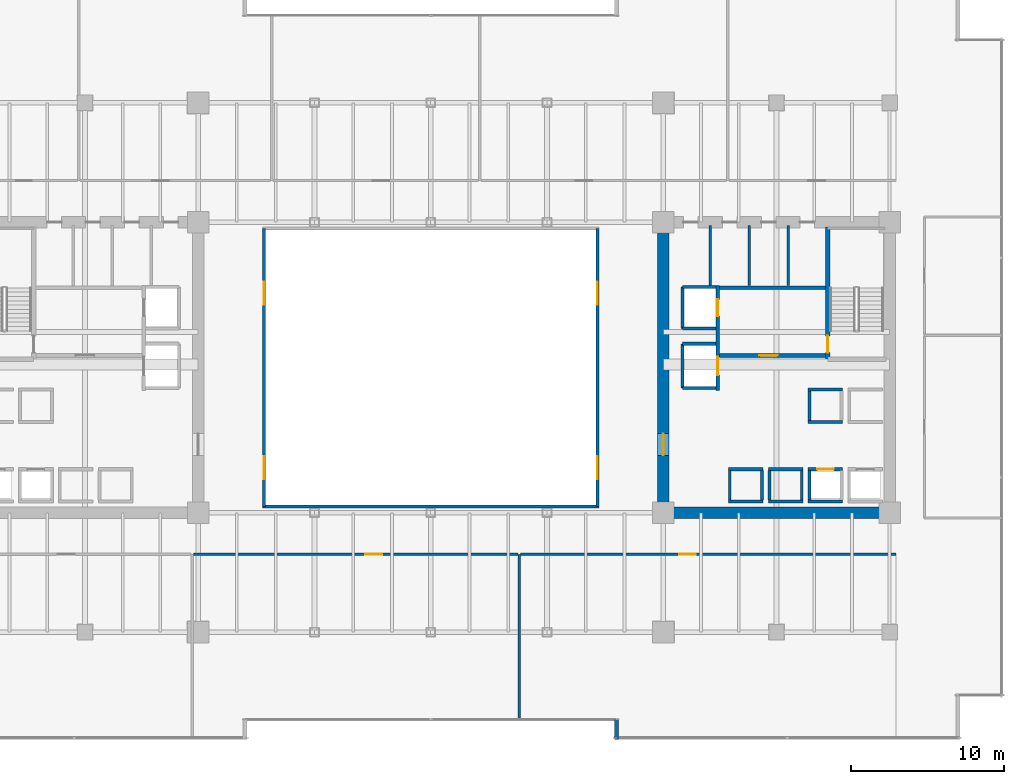
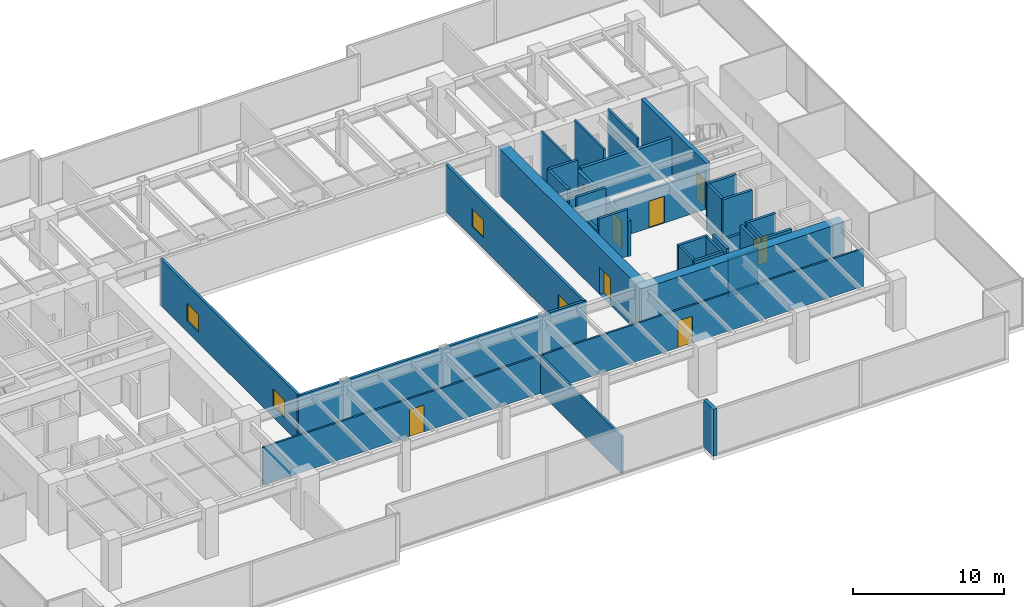
# One storey, part 30 of 36: 36 walls, 8 doors, 4 windows, 12 openings.
"""IFC4 building model written with IfcOpenShell, lengths in metres."""

from ifc_helpers import new_model, si_unit, direction, frame, frame_2d, origin, place, context, subcontext, project, spatial, rectangle, extrude, source, transform, mapped, material, layer, layer_set, type_object, type_shapes, element, fill, save


model = new_model("IFC4")

# Units and contexts
model_context = context("Model", 3, precision=1e-05, world=origin(), true_north=direction((0.0, 1.0)))
body_context = subcontext(model_context, "Body", "Model", "MODEL_VIEW")
ifc_project = project(units=[si_unit("LENGTHUNIT", "METRE"), si_unit("AREAUNIT", "SQUARE_METRE"), si_unit("VOLUMEUNIT", "CUBIC_METRE"), si_unit("PLANEANGLEUNIT", "RADIAN"), si_unit("MASSUNIT", "GRAM", prefix="KILO")], contexts=[model_context])

# Site, building, storey
site_placement = place(None, origin())
site = spatial("IfcSite", under=ifc_project, at=site_placement, CompositionType="ELEMENT")
building_placement = place(site_placement, origin())
building = spatial("IfcBuilding", under=site, at=building_placement, Name="Haelvirn Gate Laboratories", CompositionType="ELEMENT")
storey_placement = place(building_placement, frame((0.0, 0.0, 49.800048828125)))
storey = spatial("IfcBuildingStorey", under=building, at=storey_placement, Name="L12", CompositionType="ELEMENT", Elevation=49.800048828125)

# Walls
ifc_material_1 = material(Name="Thermally-broken bronze aluminium rainscreen & mineral wool", Category="aluminium")
ifc_layer_1 = layer(ifc_material_1, 0.280029296875, Name="EW-TERR-280")
ifc_layer_set_1 = layer_set([ifc_layer_1], Name="Thermally-broken bronze aluminium rainscreen & mineral wool")
wall_type_1 = type_object("IfcWallType", Name="EW-TERR-280", PredefinedType="STANDARD", material=ifc_layer_set_1)
wall_1_placement = place(storey_placement, frame((49.5400390625, 1.2880859375, 0.0), z_axis=(0.0, 0.0, 1.0), x_axis=(0.0, -1.0, 0.0)))
element("IfcWall", 1, at=wall_1_placement, inside=storey, type_object=wall_type_1, Name="L12 Atrium Recess Bronze Return Wall 03", PredefinedType="STANDARD", context=body_context, shape_type="SweptSolid", body=[
    extrude(rectangle(XDim=1.2880859375, YDim=0.280029296875, at=frame_2d((0.64404296875, 0.0))), origin(), (0.0, 0.0, 1.0), 3.780029296875),
])
ifc_material_2 = material(Name="Double-layer acoustic gypsum laboratory partition", Category="gypsum")
ifc_layer_2 = layer(ifc_material_2, 0.159912109375, Name="IW-ACOUST-160")
ifc_layer_set_2 = layer_set([ifc_layer_2], Name="Double-layer acoustic gypsum laboratory partition")
wall_type_2 = type_object("IfcWallType", Name="IW-ACOUST-160", PredefinedType="PARTITIONING", material=ifc_layer_set_2)
wall_2_placement = place(storey_placement, frame((43.199951171875, 1.31005859375, 0.0), z_axis=(0.0, 0.0, 1.0), x_axis=(0.0, 1.0, 0.0)))
element("IfcWall", 2, at=wall_2_placement, inside=storey, type_object=wall_type_2, Name="L12 Interior Wall IW-L12-SDIV-02", PredefinedType="PARTITIONING", context=body_context, shape_type="SweptSolid", body=[
    extrude(rectangle(XDim=10.780029296875, YDim=0.159912109375, at=frame_2d((5.39013671875, 0.0))), origin(), (0.0, 0.0, 1.0), 3.014892578125),
])

# Wall, openings, windows
ifc_material_3 = material(Name="Tempered fire-rated borosilicate glass & anodised aluminium", Category="aluminium")
ifc_layer_3 = layer(ifc_material_3, 0.195068359375, Name="IW-GLAZ-200")
ifc_layer_set_3 = layer_set([ifc_layer_3], Name="Tempered fire-rated borosilicate glass & anodised aluminium")
wall_type_3 = type_object("IfcWallType", Name="IW-GLAZ-200", PredefinedType="SOLIDWALL", material=ifc_layer_set_3)
wall_3_placement = place(storey_placement, frame((26.5, 15.199951171875, 0.0), z_axis=(0.0, 0.0, 1.0), x_axis=(0.0, 1.0, 0.0)))
wall_3 = element("IfcWall", 3, at=wall_3_placement, inside=storey, type_object=wall_type_3, Name="L12 Interior Wall IW-L12-ATRIUM-W", PredefinedType="SOLIDWALL", context=body_context, shape_type="SweptSolid", body=[
    extrude(rectangle(XDim=18.199951171875, YDim=0.195068359375, at=frame_2d((9.10009765625, 0.0))), origin(), (0.0, 0.0, 1.0), 3.780029296875),
])
opening_1_placement = place(wall_3_placement, frame((1.800048828125, 0.0, 0.89990234375)))
opening_1 = element("IfcOpeningElement", 4, at=opening_1_placement, cuts=wall_3, Name="Opening W5", PredefinedType="OPENING", context=body_context, shape_type="SweptSolid", body=[
    extrude(rectangle(XDim=1.5, YDim=1.39990234375, at=frame_2d((0.75, 0.699951171875))), frame((0.0, 0.107421875, 0.0), z_axis=(0.0, -1.0, 0.0), x_axis=(1.0, 0.0, 0.0)), (0.0, 0.0, 1.0), 0.215087890625),
])
opening_2_placement = place(wall_3_placement, frame((13.199951171875, 0.0, 0.89990234375)))
opening_2 = element("IfcOpeningElement", 5, at=opening_2_placement, cuts=wall_3, Name="Opening W5", PredefinedType="OPENING", context=body_context, shape_type="SweptSolid", body=[
    extrude(rectangle(XDim=1.5, YDim=1.39990234375, at=frame_2d((0.75, 0.699951171875))), frame((0.0, 0.107421875, 0.0), z_axis=(0.0, -1.0, 0.0), x_axis=(1.0, 0.0, 0.0)), (0.0, 0.0, 1.0), 0.215087890625),
])
ifc_material_4 = material(Name="Fire-rated EI 120 borosilicate atrium vision glazing", Category="glass")
window_type = type_object("IfcWindowType", Name="WN-ATR-1500", PartitioningType="SINGLE_PANEL", PredefinedType="WINDOW", material=ifc_material_4)
shared_shape_1 = source(origin(), body_context, "Body", "SweptSolid", [
    extrude(rectangle(XDim=1.5, YDim=1.39990234375, at=frame_2d((0.75, 0.699951171875))), frame((0.0, 0.030029296875, 0.0), z_axis=(0.0, -1.0, 0.0), x_axis=(1.0, 0.0, 0.0)), (0.0, 0.0, 1.0), 0.06005859375),
])
type_shapes(window_type, [shared_shape_1])
window_1_placement = place(opening_1_placement, origin())
window_1 = element("IfcWindow", 6, at=window_1_placement, inside=storey, type_object=window_type, Name="L12 Atrium Observation Window 1", OverallHeight=1.39990234375, OverallWidth=1.5, PartitioningType="SINGLE_PANEL", PredefinedType="WINDOW", context=body_context, shape_type="MappedRepresentation", body=[
    mapped(shared_shape_1, transform((0.0, 0.0, 0.0), scale=1.0)),
])
fill(opening_1, window_1)
window_2_placement = place(opening_2_placement, origin())
window_2 = element("IfcWindow", 7, at=window_2_placement, inside=storey, type_object=window_type, Name="L12 Atrium Observation Window 2", OverallHeight=1.39990234375, OverallWidth=1.5, PartitioningType="SINGLE_PANEL", PredefinedType="WINDOW", context=body_context, shape_type="MappedRepresentation", body=[
    mapped(shared_shape_1, transform((0.0, 0.0, 0.0), scale=1.0)),
])
fill(opening_2, window_2)

wall_4_placement = place(storey_placement, frame((48.300048828125, 15.199951171875, 0.0), z_axis=(0.0, 0.0, 1.0), x_axis=(0.0, 1.0, 0.0)))
wall_4 = element("IfcWall", 8, at=wall_4_placement, inside=storey, type_object=wall_type_3, Name="L12 Interior Wall IW-L12-ATRIUM-E", PredefinedType="SOLIDWALL", context=body_context, shape_type="SweptSolid", body=[
    extrude(rectangle(XDim=18.199951171875, YDim=0.195068359375, at=frame_2d((9.10009765625, 0.0))), origin(), (0.0, 0.0, 1.0), 3.780029296875),
])
opening_3_placement = place(wall_4_placement, frame((1.800048828125, 0.0, 0.89990234375)))
opening_3 = element("IfcOpeningElement", 9, at=opening_3_placement, cuts=wall_4, Name="Opening W5", PredefinedType="OPENING", context=body_context, shape_type="SweptSolid", body=[
    extrude(rectangle(XDim=1.5, YDim=1.39990234375, at=frame_2d((0.75, 0.699951171875))), frame((0.0, 0.107421875, 0.0), z_axis=(0.0, -1.0, 0.0), x_axis=(1.0, 0.0, 0.0)), (0.0, 0.0, 1.0), 0.215087890625),
])
opening_4_placement = place(wall_4_placement, frame((13.199951171875, 0.0, 0.89990234375)))
opening_4 = element("IfcOpeningElement", 10, at=opening_4_placement, cuts=wall_4, Name="Opening W5", PredefinedType="OPENING", context=body_context, shape_type="SweptSolid", body=[
    extrude(rectangle(XDim=1.5, YDim=1.39990234375, at=frame_2d((0.75, 0.699951171875))), frame((0.0, 0.107421875, 0.0), z_axis=(0.0, -1.0, 0.0), x_axis=(1.0, 0.0, 0.0)), (0.0, 0.0, 1.0), 0.215087890625),
])
window_3_placement = place(opening_3_placement, origin())
window_3 = element("IfcWindow", 11, at=window_3_placement, inside=storey, type_object=window_type, Name="L12 Atrium Observation Window 1", OverallHeight=1.39990234375, OverallWidth=1.5, PartitioningType="SINGLE_PANEL", PredefinedType="WINDOW", context=body_context, shape_type="MappedRepresentation", body=[
    mapped(shared_shape_1, transform((0.0, 0.0, 0.0), scale=1.0)),
])
fill(opening_3, window_3)
window_4_placement = place(opening_4_placement, origin())
window_4 = element("IfcWindow", 12, at=window_4_placement, inside=storey, type_object=window_type, Name="L12 Atrium Observation Window 2", OverallHeight=1.39990234375, OverallWidth=1.5, PartitioningType="SINGLE_PANEL", PredefinedType="WINDOW", context=body_context, shape_type="MappedRepresentation", body=[
    mapped(shared_shape_1, transform((0.0, 0.0, 0.0), scale=1.0)),
])
fill(opening_4, window_4)

# Wall
wall_5_placement = place(storey_placement, frame((26.39990234375, 15.199951171875, 0.0), z_axis=(0.0, 0.0, 1.0), x_axis=(1.0, 0.0, 0.0)))
element("IfcWall", 13, at=wall_5_placement, inside=storey, type_object=wall_type_3, Name="L12 Interior Wall IW-L12-ATRIUM-S", PredefinedType="SOLIDWALL", context=body_context, shape_type="SweptSolid", body=[
    extrude(rectangle(XDim=22.0, YDim=0.195068359375, at=frame_2d((11.0, 0.0))), origin(), (0.0, 0.0, 1.0), 3.780029296875),
])

# Wall, opening, door
ifc_material_5 = material(Name="Acoustic mineral-wool gypsum board partition", Category="gypsum")
ifc_layer_4 = layer(ifc_material_5, 0.139892578125, Name="IW-PART-140")
ifc_layer_set_4 = layer_set([ifc_layer_4], Name="Acoustic mineral-wool gypsum board partition")
wall_type_4 = type_object("IfcWallType", Name="IW-PART-140", PredefinedType="PARTITIONING", material=ifc_layer_set_4)
wall_6_placement = place(storey_placement, frame((21.8798828125, 12.090087890625, 0.0), z_axis=(0.0, 0.0, 1.0), x_axis=(1.0, 0.0, 0.0)))
wall_6 = element("IfcWall", 14, at=wall_6_placement, inside=storey, type_object=wall_type_4, Name="L12 Interior Wall IW-L12-SCORR-02", PredefinedType="PARTITIONING", context=body_context, shape_type="SweptSolid", body=[
    extrude(rectangle(XDim=21.240234375, YDim=0.139892578125, at=frame_2d((10.6201171875, 0.0))), origin(), (0.0, 0.0, 1.0), 3.06494140625),
])
opening_5_placement = place(wall_6_placement, frame((11.236328125, 0.0, 0.0)))
opening_5 = element("IfcOpeningElement", 15, at=opening_5_placement, cuts=wall_6, Name="Opening D1", PredefinedType="OPENING", context=body_context, shape_type="SweptSolid", body=[
    extrude(rectangle(XDim=1.10009765625, YDim=2.179931640625, at=frame_2d((0.550048828125, 1.08984375))), frame((0.0, 0.080078125, 0.0), z_axis=(0.0, -1.0, 0.0), x_axis=(1.0, 0.0, 0.0)), (0.0, 0.0, 1.0), 0.159912109375),
])
ifc_material_6 = material(Name="Vision-panel acoustic solid-core timber lab door", Category="wood")
door_type_1 = type_object("IfcDoorType", Name="DR-LAB-1100", OperationType="NOTDEFINED", PredefinedType="DOOR", material=ifc_material_6)
shared_shape_2 = source(origin(), body_context, "Body", "SweptSolid", [
    extrude(rectangle(XDim=1.10009765625, YDim=2.179931640625, at=frame_2d((0.550048828125, 1.08984375))), frame((0.0, 0.02490234375, 0.0), z_axis=(0.0, -1.0, 0.0), x_axis=(1.0, 0.0, 0.0)), (0.0, 0.0, 1.0), 0.050048828125),
])
type_shapes(door_type_1, [shared_shape_2])
door_1_placement = place(opening_5_placement, origin())
door_1 = element("IfcDoor", 16, at=door_1_placement, inside=storey, type_object=door_type_1, Name="L12 Colloquium Conference Room Door S2", OperationType="SINGLE_SWING_RIGHT", OverallHeight=2.179931640625, OverallWidth=1.10009765625, PredefinedType="DOOR", context=body_context, shape_type="MappedRepresentation", body=[
    mapped(shared_shape_2, transform((0.0, 0.0, 0.0), scale=1.0)),
])
fill(opening_5, door_1)

wall_7_placement = place(storey_placement, frame((43.280029296875, 12.090087890625, 0.0), z_axis=(0.0, 0.0, 1.0), x_axis=(1.0, 0.0, 0.0)))
wall_7 = element("IfcWall", 17, at=wall_7_placement, inside=storey, type_object=wall_type_4, Name="L12 Interior Wall IW-L12-SCORR-03", PredefinedType="PARTITIONING", context=body_context, shape_type="SweptSolid", body=[
    extrude(rectangle(XDim=24.5400390625, YDim=0.139892578125, at=frame_2d((12.27001953125, 0.0))), origin(), (0.0, 0.0, 1.0), 3.06494140625),
])
opening_6_placement = place(wall_7_placement, frame((10.355712890625, 0.0, 0.0)))
opening_6 = element("IfcOpeningElement", 18, at=opening_6_placement, cuts=wall_7, Name="Opening D1", PredefinedType="OPENING", context=body_context, shape_type="SweptSolid", body=[
    extrude(rectangle(XDim=1.10009765625, YDim=2.179931640625, at=frame_2d((0.550048828125, 1.08984375))), frame((0.0, 0.080078125, 0.0), z_axis=(0.0, -1.0, 0.0), x_axis=(1.0, 0.0, 0.0)), (0.0, 0.0, 1.0), 0.159912109375),
])
door_2_placement = place(opening_6_placement, origin())
door_2 = element("IfcDoor", 19, at=door_2_placement, inside=storey, type_object=door_type_1, Name="L12 Floor Hydration & Tea Servery Door S3", OperationType="SINGLE_SWING_LEFT", OverallHeight=2.179931640625, OverallWidth=1.10009765625, PredefinedType="DOOR", context=body_context, shape_type="MappedRepresentation", body=[
    mapped(shared_shape_2, transform((0.0, 0.0, 0.0), scale=1.0)),
])
fill(opening_6, door_2)

# Walls
ifc_material_7 = material(Name="Cement-board restroom plumbing chase wall", Category="gypsum")
ifc_layer_5 = layer(ifc_material_7, 0.155029296875, Name="IW-PLUMB-160")
ifc_layer_set_5 = layer_set([ifc_layer_5], Name="Cement-board restroom plumbing chase wall")
wall_type_5 = type_object("IfcWallType", Name="IW-PLUMB-160", PredefinedType="PLUMBINGWALL", material=ifc_layer_set_5)
for number, where, z_axis, x_axis, name in (
    (20, (60.760009765625, 29.64990234375, 0.0), (0.0, 0.0, 1.0), (0.0, 1.0, 0.0), "L12 Interior Wall IW-L12-E-CDIV-1"),
    (21, (58.2099609375, 29.64990234375, 0.0), (0.0, 0.0, 1.0), (0.0, 1.0, 0.0), "L12 Interior Wall IW-L12-E-CDIV-2"),
    (22, (55.659912109375, 29.64990234375, 0.0), (0.0, 0.0, 1.0), (0.0, 1.0, 0.0), "L12 Interior Wall IW-L12-E-CDIV-3"),
):
    element("IfcWall", number, at=place(storey_placement, frame(where, z_axis=z_axis, x_axis=x_axis)), inside=storey, type_object=wall_type_5, Name=name, PredefinedType="PLUMBINGWALL", context=body_context, shape_type="SweptSolid", body=[
        extrude(rectangle(XDim=3.93017578125, YDim=0.155029296875, at=frame_2d((1.965087890625, 0.0))), origin(), (0.0, 0.0, 1.0), 3.780029296875),
    ])
ifc_material_8 = material(Name="Concrete C40/50", Category="concrete")
ifc_layer_6 = layer(ifc_material_8, 0.179931640625, Name="IW-SHAFT-180")
ifc_layer_set_6 = layer_set([ifc_layer_6], Name="Concrete C40/50")
wall_type_6 = type_object("IfcWallType", Name="IW-SHAFT-180", PredefinedType="SOLIDWALL", material=ifc_layer_set_6)
for number, where, z_axis, x_axis, name in (
    (23, (62.14990234375, 15.64990234375, 0.0), (0.0, 0.0, 1.0), (0.0, 1.0, 0.0), "L12 Interior Wall IW-L12-PL4-SD"),
    (24, (59.550048828125, 15.64990234375, 0.0), (0.0, 0.0, 1.0), (0.0, 1.0, 0.0), "L12 Interior Wall IW-L12-PL7-SD"),
    (25, (61.64990234375, 15.64990234375, 0.0), (0.0, 0.0, 1.0), (0.0, 1.0, 0.0), "L12 Interior Wall IW-L12-PL7-SDE"),
    (26, (56.949951171875, 15.64990234375, 0.0), (0.0, 0.0, 1.0), (0.0, 1.0, 0.0), "L12 Interior Wall IW-L12-PL8-SD"),
    (27, (59.050048828125, 15.64990234375, 0.0), (0.0, 0.0, 1.0), (0.0, 1.0, 0.0), "L12 Interior Wall IW-L12-PL8-SDE"),
):
    element("IfcWall", number, at=place(storey_placement, frame(where, z_axis=z_axis, x_axis=x_axis)), inside=storey, type_object=wall_type_6, Name=name, PredefinedType="SOLIDWALL", context=body_context, shape_type="SweptSolid", body=[
        extrude(rectangle(XDim=1.900146484375, YDim=0.179931640625, at=frame_2d((0.9501953125, 0.0))), origin(), (0.0, 0.0, 1.0), 3.780029296875),
    ])
wall_8_placement = place(storey_placement, frame((62.14990234375, 20.85009765625, 0.0), z_axis=(0.0, 0.0, 1.0), x_axis=(0.0, 1.0, 0.0)))
element("IfcWall", 28, at=wall_8_placement, inside=storey, type_object=wall_type_6, Name="L12 Interior Wall IW-L12-PL12-SD", PredefinedType="SOLIDWALL", context=body_context, shape_type="SweptSolid", body=[
    extrude(rectangle(XDim=1.89990234375, YDim=0.179931640625, at=frame_2d((0.949951171875, 0.0))), origin(), (0.0, 0.0, 1.0), 3.780029296875),
])

# Wall, opening, door
ifc_layer_7 = layer(ifc_material_8, 0.199951171875, Name="IW-SHAFT-200")
ifc_layer_set_7 = layer_set([ifc_layer_7], Name="Concrete C40/50")
wall_type_7 = type_object("IfcWallType", Name="IW-SHAFT-200", PredefinedType="SOLIDWALL", material=ifc_layer_set_7)
wall_9_placement = place(storey_placement, frame((62.070068359375, 17.64990234375, 0.0), z_axis=(0.0, 0.0, 1.0), x_axis=(1.0, 0.0, 0.0)))
wall_9 = element("IfcWall", 29, at=wall_9_placement, inside=storey, type_object=wall_type_7, Name="L12 Interior Wall IW-L12-PL4-FR", PredefinedType="SOLIDWALL", context=body_context, shape_type="SweptSolid", body=[
    extrude(rectangle(XDim=2.260009765625, YDim=0.199951171875, at=frame_2d((1.1298828125, 0.0))), origin(), (0.0, 0.0, 1.0), 3.780029296875),
])
opening_7_placement = place(wall_9_placement, frame((0.580078125, 0.0, 0.0)))
opening_7 = element("IfcOpeningElement", 30, at=opening_7_placement, cuts=wall_9, Name="Opening LD2", PredefinedType="OPENING", context=body_context, shape_type="SweptSolid", body=[
    extrude(rectangle(XDim=1.10009765625, YDim=2.219970703125, at=frame_2d((0.550048828125, 1.10986328125))), frame((0.0, 0.10986328125, 0.0), z_axis=(0.0, -1.0, 0.0), x_axis=(1.0, 0.0, 0.0)), (0.0, 0.0, 1.0), 0.219970703125),
])
ifc_material_9 = material(Name="Bronze stainless 316L sliding lift landing door")
door_type_2 = type_object("IfcDoorType", Name="DR-LD-1100", OperationType="NOTDEFINED", PredefinedType="USERDEFINED", material=ifc_material_9)
shared_shape_3 = source(origin(), body_context, "Body", "SweptSolid", [
    extrude(rectangle(XDim=1.10009765625, YDim=2.219970703125, at=frame_2d((0.550048828125, 1.10986328125))), frame((0.0, 0.02490234375, 0.0), z_axis=(0.0, -1.0, 0.0), x_axis=(1.0, 0.0, 0.0)), (0.0, 0.0, 1.0), 0.050048828125),
])
type_shapes(door_type_2, [shared_shape_3])
door_3_placement = place(opening_7_placement, origin())
door_3 = element("IfcDoor", 31, at=door_3_placement, inside=storey, type_object=door_type_2, Name="L12 Passenger Lift PL4 Landing Door", ObjectType="LANDING_DOOR", OperationType="SLIDING_TO_RIGHT", OverallHeight=2.219970703125, OverallWidth=1.10009765625, PredefinedType="USERDEFINED", context=body_context, shape_type="MappedRepresentation", body=[
    mapped(shared_shape_3, transform((0.0, 0.0, 0.0), scale=1.0)),
])
fill(opening_7, door_3)

# Walls
wall_10_placement = place(storey_placement, frame((62.070068359375, 15.550048828125, 0.0), z_axis=(0.0, 0.0, 1.0), x_axis=(1.0, 0.0, 0.0)))
element("IfcWall", 32, at=wall_10_placement, inside=storey, type_object=wall_type_7, Name="L12 Interior Wall IW-L12-PL4-BK", PredefinedType="SOLIDWALL", context=body_context, shape_type="SweptSolid", body=[
    extrude(rectangle(XDim=2.260009765625, YDim=0.199951171875, at=frame_2d((1.1298828125, 0.0))), origin(), (0.0, 0.0, 1.0), 3.780029296875),
])
for number, where, z_axis, x_axis, name in (
    (33, (59.469970703125, 17.64990234375, 0.0), (0.0, 0.0, 1.0), (1.0, 0.0, 0.0), "L12 Interior Wall IW-L12-PL7-FR"),
    (34, (59.469970703125, 15.550048828125, 0.0), (0.0, 0.0, 1.0), (1.0, 0.0, 0.0), "L12 Interior Wall IW-L12-PL7-BK"),
):
    element("IfcWall", number, at=place(storey_placement, frame(where, z_axis=z_axis, x_axis=x_axis)), inside=storey, type_object=wall_type_7, Name=name, PredefinedType="SOLIDWALL", context=body_context, shape_type="SweptSolid", body=[
        extrude(rectangle(XDim=2.260009765625, YDim=0.199951171875, at=frame_2d((1.1298828125, 0.0))), origin(), (0.0, 0.0, 1.0), 3.06494140625),
    ])
for number, where, z_axis, x_axis, name in (
    (35, (56.8701171875, 17.64990234375, 0.0), (0.0, 0.0, 1.0), (1.0, 0.0, 0.0), "L12 Interior Wall IW-L12-PL8-FR"),
    (36, (56.8701171875, 15.550048828125, 0.0), (0.0, 0.0, 1.0), (1.0, 0.0, 0.0), "L12 Interior Wall IW-L12-PL8-BK"),
):
    element("IfcWall", number, at=place(storey_placement, frame(where, z_axis=z_axis, x_axis=x_axis)), inside=storey, type_object=wall_type_7, Name=name, PredefinedType="SOLIDWALL", context=body_context, shape_type="SweptSolid", body=[
        extrude(rectangle(XDim=2.259765625, YDim=0.199951171875, at=frame_2d((1.1298828125, 0.0))), origin(), (0.0, 0.0, 1.0), 3.780029296875),
    ])
for number, where, z_axis, x_axis, name in (
    (37, (62.070068359375, 20.75, 0.0), (0.0, 0.0, 1.0), (1.0, 0.0, 0.0), "L12 Interior Wall IW-L12-PL12-FR"),
    (38, (62.070068359375, 22.85009765625, 0.0), (0.0, 0.0, 1.0), (1.0, 0.0, 0.0), "L12 Interior Wall IW-L12-PL12-BK"),
):
    element("IfcWall", number, at=place(storey_placement, frame(where, z_axis=z_axis, x_axis=x_axis)), inside=storey, type_object=wall_type_7, Name=name, PredefinedType="SOLIDWALL", context=body_context, shape_type="SweptSolid", body=[
        extrude(rectangle(XDim=2.260009765625, YDim=0.199951171875, at=frame_2d((1.1298828125, 0.0))), origin(), (0.0, 0.0, 1.0), 3.780029296875),
    ])
wall_11_placement = place(storey_placement, frame((53.85009765625, 26.85009765625, 0.0), z_axis=(0.0, 0.0, 1.0), x_axis=(0.0, 1.0, 0.0)))
element("IfcWall", 39, at=wall_11_placement, inside=storey, type_object=wall_type_7, Name="L12 Interior Wall IW-L12-FL2-BK", PredefinedType="SOLIDWALL", context=body_context, shape_type="SweptSolid", body=[
    extrude(rectangle(XDim=2.699951171875, YDim=0.199951171875, at=frame_2d((1.35009765625, 0.0))), origin(), (0.0, 0.0, 1.0), 3.780029296875),
])
wall_12_placement = place(storey_placement, frame((53.85009765625, 29.550048828125, 0.0), z_axis=(0.0, 0.0, 1.0), x_axis=(1.0, 0.0, 0.0)))
element("IfcWall", 40, at=wall_12_placement, inside=storey, type_object=wall_type_7, Name="L12 Interior Wall IW-L12-FL2-N", PredefinedType="SOLIDWALL", context=body_context, shape_type="SweptSolid", body=[
    extrude(rectangle(XDim=2.18994140625, YDim=0.199951171875, at=frame_2d((1.094970703125, 0.0))), origin(), (0.0, 0.0, 1.0), 3.780029296875),
])
wall_13_placement = place(storey_placement, frame((53.85009765625, 26.85009765625, 0.0), z_axis=(0.0, 0.0, 1.0), x_axis=(1.0, 0.0, 0.0)))
element("IfcWall", 41, at=wall_13_placement, inside=storey, type_object=wall_type_7, Name="L12 Interior Wall IW-L12-FL2-S", PredefinedType="SOLIDWALL", context=body_context, shape_type="SweptSolid", body=[
    extrude(rectangle(XDim=2.18994140625, YDim=0.199951171875, at=frame_2d((1.094970703125, 0.0))), origin(), (0.0, 0.0, 1.0), 3.177001953125),
])
wall_14_placement = place(storey_placement, frame((53.85009765625, 22.949951171875, 0.0), z_axis=(0.0, 0.0, 1.0), x_axis=(0.0, 1.0, 0.0)))
element("IfcWall", 42, at=wall_14_placement, inside=storey, type_object=wall_type_7, Name="L12 Interior Wall IW-L12-SL2-BK", PredefinedType="SOLIDWALL", context=body_context, shape_type="SweptSolid", body=[
    extrude(rectangle(XDim=2.900146484375, YDim=0.199951171875, at=frame_2d((1.4501953125, 0.0))), origin(), (0.0, 0.0, 1.0), 2.864990234375),
])
for number, where, z_axis, x_axis, name in (
    (43, (53.85009765625, 25.85009765625, 0.0), (0.0, 0.0, 1.0), (1.0, 0.0, 0.0), "L12 Interior Wall IW-L12-SL2-N"),
    (44, (53.85009765625, 22.949951171875, 0.0), (0.0, 0.0, 1.0), (1.0, 0.0, 0.0), "L12 Interior Wall IW-L12-SL2-S"),
):
    element("IfcWall", number, at=place(storey_placement, frame(where, z_axis=z_axis, x_axis=x_axis)), inside=storey, type_object=wall_type_7, Name=name, PredefinedType="SOLIDWALL", context=body_context, shape_type="SweptSolid", body=[
        extrude(rectangle(XDim=2.18994140625, YDim=0.199951171875, at=frame_2d((1.094970703125, 0.0))), origin(), (0.0, 0.0, 1.0), 3.780029296875),
    ])

# Wall, opening, door
ifc_layer_8 = layer(ifc_material_8, 0.239990234375, Name="IW-SHAFT-240")
ifc_layer_set_8 = layer_set([ifc_layer_8], Name="Concrete C40/50")
wall_type_8 = type_object("IfcWallType", Name="IW-SHAFT-240", PredefinedType="SOLIDWALL", material=ifc_layer_set_8)
wall_15_placement = place(storey_placement, frame((56.280029296875, 25.080078125, 0.0), z_axis=(0.0, 0.0, 1.0), x_axis=(1.0, 0.0, 0.0)))
wall_15 = element("IfcWall", 45, at=wall_15_placement, inside=storey, type_object=wall_type_8, Name="L12 Interior Wall IW-L12-E-FF-S", PredefinedType="SOLIDWALL", context=body_context, shape_type="SweptSolid", body=[
    extrude(rectangle(XDim=6.919921875, YDim=0.239990234375, at=frame_2d((3.4599609375, 0.0))), origin(), (0.0, 0.0, 1.0), 3.06494140625),
])
opening_8_placement = place(wall_15_placement, frame((2.60009765625, 0.0, 0.0)))
opening_8 = element("IfcOpeningElement", 46, at=opening_8_placement, cuts=wall_15, Name="Opening FD2", PredefinedType="OPENING", context=body_context, shape_type="SweptSolid", body=[
    extrude(rectangle(XDim=1.199951171875, YDim=2.159912109375, at=frame_2d((0.60009765625, 1.080078125))), frame((0.0, 0.1298828125, 0.0), z_axis=(0.0, -1.0, 0.0), x_axis=(1.0, 0.0, 0.0)), (0.0, 0.0, 1.0), 0.260009765625),
])
ifc_material_10 = material(Name="Fire-rated steel SM355 compartment door", Category="steel")
door_type_3 = type_object("IfcDoorType", Name="DR-FD-1200", OperationType="NOTDEFINED", PredefinedType="DOOR", material=ifc_material_10)
shared_shape_4 = source(origin(), body_context, "Body", "SweptSolid", [
    extrude(rectangle(XDim=1.199951171875, YDim=2.159912109375, at=frame_2d((0.60009765625, 1.080078125))), frame((0.0, 0.02490234375, 0.0), z_axis=(0.0, -1.0, 0.0), x_axis=(1.0, 0.0, 0.0)), (0.0, 0.0, 1.0), 0.050048828125),
])
type_shapes(door_type_3, [shared_shape_4])
door_4_placement = place(opening_8_placement, origin())
door_4 = element("IfcDoor", 47, at=door_4_placement, inside=storey, type_object=door_type_3, Name="L12 East Firefighting Lobby Door", OperationType="SINGLE_SWING_LEFT", OverallHeight=2.159912109375, OverallWidth=1.199951171875, PredefinedType="DOOR", context=body_context, shape_type="MappedRepresentation", body=[
    mapped(shared_shape_4, transform((0.0, 0.0, 0.0), scale=1.0)),
])
fill(opening_8, door_4)

# Wall
wall_16_placement = place(storey_placement, frame((56.280029296875, 29.52001953125, 0.0), z_axis=(0.0, 0.0, 1.0), x_axis=(1.0, 0.0, 0.0)))
element("IfcWall", 48, at=wall_16_placement, inside=storey, type_object=wall_type_8, Name="L12 Interior Wall IW-L12-E-FF-N", PredefinedType="SOLIDWALL", context=body_context, shape_type="SweptSolid", body=[
    extrude(rectangle(XDim=6.919921875, YDim=0.239990234375, at=frame_2d((3.4599609375, 0.0))), origin(), (0.0, 0.0, 1.0), 3.06494140625),
])

# Wall, openings, doors
wall_17_placement = place(storey_placement, frame((56.159912109375, 22.800048828125, 0.0), z_axis=(0.0, 0.0, 1.0), x_axis=(0.0, 1.0, 0.0)))
wall_17 = element("IfcWall", 49, at=wall_17_placement, inside=storey, type_object=wall_type_8, Name="L12 Interior Wall IW-L12-E-FF-E", PredefinedType="SOLIDWALL", context=body_context, shape_type="SweptSolid", body=[
    extrude(rectangle(XDim=6.849853515625, YDim=0.239990234375, at=frame_2d((3.4248046875, 0.0))), origin(), (0.0, 0.0, 1.0), 2.864990234375),
])
opening_9_placement = place(wall_17_placement, frame((4.85009765625, 0.0, 0.0)))
opening_9 = element("IfcOpeningElement", 50, at=opening_9_placement, cuts=wall_17, Name="Opening LD2", PredefinedType="OPENING", context=body_context, shape_type="SweptSolid", body=[
    extrude(rectangle(XDim=1.10009765625, YDim=2.219970703125, at=frame_2d((0.550048828125, 1.10986328125))), frame((0.0, 0.1298828125, 0.0), z_axis=(0.0, -1.0, 0.0), x_axis=(1.0, 0.0, 0.0)), (0.0, 0.0, 1.0), 0.260009765625),
])
opening_10_placement = place(wall_17_placement, frame((1.0, 0.0, 0.0)))
opening_10 = element("IfcOpeningElement", 51, at=opening_10_placement, cuts=wall_17, Name="Opening LD1", PredefinedType="OPENING", context=body_context, shape_type="SweptSolid", body=[
    extrude(rectangle(XDim=1.199951171875, YDim=2.219970703125, at=frame_2d((0.60009765625, 1.10986328125))), frame((0.0, 0.1298828125, 0.0), z_axis=(0.0, -1.0, 0.0), x_axis=(1.0, 0.0, 0.0)), (0.0, 0.0, 1.0), 0.260009765625),
])
door_5_placement = place(opening_9_placement, origin())
door_5 = element("IfcDoor", 52, at=door_5_placement, inside=storey, type_object=door_type_2, Name="L12 Firefighting Lift FL2 Landing Door", ObjectType="LANDING_DOOR", OperationType="SLIDING_TO_RIGHT", OverallHeight=2.219970703125, OverallWidth=1.10009765625, PredefinedType="USERDEFINED", context=body_context, shape_type="MappedRepresentation", body=[
    mapped(shared_shape_3, transform((0.0, 0.0, 0.0), scale=1.0)),
])
fill(opening_9, door_5)
ifc_material_11 = material(Name="Stainless steel 316L sliding goods landing door", Category="steel")
door_type_4 = type_object("IfcDoorType", Name="DR-LD-1200", OperationType="NOTDEFINED", PredefinedType="USERDEFINED", material=ifc_material_11)
shared_shape_5 = source(origin(), body_context, "Body", "SweptSolid", [
    extrude(rectangle(XDim=1.199951171875, YDim=2.219970703125, at=frame_2d((0.60009765625, 1.10986328125))), frame((0.0, 0.02490234375, 0.0), z_axis=(0.0, -1.0, 0.0), x_axis=(1.0, 0.0, 0.0)), (0.0, 0.0, 1.0), 0.050048828125),
])
type_shapes(door_type_4, [shared_shape_5])
door_6_placement = place(opening_10_placement, origin())
door_6 = element("IfcDoor", 53, at=door_6_placement, inside=storey, type_object=door_type_4, Name="L12 Service Lift SL2 Landing Door", ObjectType="LANDING_DOOR", OperationType="SLIDING_TO_LEFT", OverallHeight=2.219970703125, OverallWidth=1.199951171875, PredefinedType="USERDEFINED", context=body_context, shape_type="MappedRepresentation", body=[
    mapped(shared_shape_5, transform((0.0, 0.0, 0.0), scale=1.0)),
])
fill(opening_10, door_6)

# Wall
ifc_material_12 = material(Name="Concrete C70/85", Category="concrete")
ifc_layer_9 = layer(ifc_material_12, 0.75, Name="SW-CORE-750")
ifc_layer_set_9 = layer_set([ifc_layer_9], Name="Concrete C70/85")
wall_type_9 = type_object("IfcWallType", Name="SW-CORE-750", PredefinedType="SHEAR", material=ifc_layer_set_9)
wall_18_placement = place(storey_placement, frame((52.22509765625, 14.800048828125, 0.0), z_axis=(0.0, 0.0, 1.0), x_axis=(1.0, 0.0, 0.0)))
element("IfcWall", 54, at=wall_18_placement, inside=storey, type_object=wall_type_9, Name="L12 E Core Shear Wall S", PredefinedType="SHEAR", context=body_context, shape_type="SweptSolid", body=[
    extrude(rectangle(XDim=15.5498046875, YDim=0.75, at=frame_2d((7.77490234375, 0.0))), origin(), (0.0, 0.0, 1.0), 3.780029296875),
])

# Wall, opening, door
wall_19_placement = place(storey_placement, frame((52.60009765625, 15.175048828125, 0.0), z_axis=(0.0, 0.0, 1.0), x_axis=(0.0, 1.0, 0.0)))
wall_19 = element("IfcWall", 55, at=wall_19_placement, inside=storey, type_object=wall_type_9, Name="L12 E Core Shear Wall W", PredefinedType="SHEAR", context=body_context, shape_type="SweptSolid", body=[
    extrude(rectangle(XDim=18.25, YDim=0.75, at=frame_2d((9.125, 0.0))), origin(), (0.0, 0.0, 1.0), 3.780029296875),
])
opening_11_placement = place(wall_19_placement, frame((3.375, 0.0, 0.0)))
opening_11 = element("IfcOpeningElement", 56, at=opening_11_placement, cuts=wall_19, Name="Opening FD1", PredefinedType="OPENING", context=body_context, shape_type="SweptSolid", body=[
    extrude(rectangle(XDim=1.419921875, YDim=2.199951171875, at=frame_2d((0.7099609375, 1.10009765625))), frame((0.0, 0.385009765625, 0.0), z_axis=(0.0, -1.0, 0.0), x_axis=(1.0, 0.0, 0.0)), (0.0, 0.0, 1.0), 0.77001953125),
])
ifc_material_13 = material(Name="Fire-rated double steel SM355 lobby door", Category="steel")
door_type_5 = type_object("IfcDoorType", Name="DR-FD-1400", OperationType="NOTDEFINED", PredefinedType="DOOR", material=ifc_material_13)
shared_shape_6 = source(origin(), body_context, "Body", "SweptSolid", [
    extrude(rectangle(XDim=1.419921875, YDim=2.199951171875, at=frame_2d((0.7099609375, 1.10009765625))), frame((0.0, 0.02490234375, 0.0), z_axis=(0.0, -1.0, 0.0), x_axis=(1.0, 0.0, 0.0)), (0.0, 0.0, 1.0), 0.050048828125),
])
type_shapes(door_type_5, [shared_shape_6])
door_7_placement = place(opening_11_placement, origin())
door_7 = element("IfcDoor", 57, at=door_7_placement, inside=storey, type_object=door_type_5, Name="L12 East Core Lift Lobby Fire Door", OperationType="DOUBLE_DOOR_SINGLE_SWING", OverallHeight=2.199951171875, OverallWidth=1.419921875, PredefinedType="DOOR", context=body_context, shape_type="MappedRepresentation", body=[
    mapped(shared_shape_6, transform((0.0, 0.0, 0.0), scale=1.0)),
])
fill(opening_11, door_7)

ifc_material_14 = material(Name="Concrete C50/60", Category="concrete")
ifc_layer_10 = layer(ifc_material_14, 0.300048828125, Name="SW-STAIR-300")
ifc_layer_set_10 = layer_set([ifc_layer_10], Name="Concrete C50/60")
wall_type_10 = type_object("IfcWallType", Name="SW-STAIR-300", PredefinedType="SHEAR", material=ifc_layer_set_10)
wall_20_placement = place(storey_placement, frame((63.35009765625, 24.85009765625, 0.0), z_axis=(0.0, 0.0, 1.0), x_axis=(0.0, 1.0, 0.0)))
wall_20 = element("IfcWall", 58, at=wall_20_placement, inside=storey, type_object=wall_type_10, Name="L12 E Core Stair Shaft Structural Wall IN", PredefinedType="SHEAR", context=body_context, shape_type="SweptSolid", body=[
    extrude(rectangle(XDim=8.6298828125, YDim=0.300048828125, at=frame_2d((4.31494140625, 0.0))), origin(), (0.0, 0.0, 1.0), 3.780029296875),
])
opening_12_placement = place(wall_20_placement, frame((0.419921875, 0.0, 0.0)))
opening_12 = element("IfcOpeningElement", 59, at=opening_12_placement, cuts=wall_20, Name="Opening FD3", PredefinedType="OPENING", context=body_context, shape_type="SweptSolid", body=[
    extrude(rectangle(XDim=1.10009765625, YDim=2.14990234375, at=frame_2d((0.550048828125, 1.074951171875))), frame((0.0, 0.16015625, 0.0), z_axis=(0.0, -1.0, 0.0), x_axis=(1.0, 0.0, 0.0)), (0.0, 0.0, 1.0), 0.320068359375),
])
ifc_material_15 = material(Name="Fire-rated steel SM355 escape stair door", Category="steel")
door_type_6 = type_object("IfcDoorType", Name="DR-FD-1100", OperationType="NOTDEFINED", PredefinedType="DOOR", material=ifc_material_15)
shared_shape_7 = source(origin(), body_context, "Body", "SweptSolid", [
    extrude(rectangle(XDim=1.10009765625, YDim=2.14990234375, at=frame_2d((0.550048828125, 1.074951171875))), frame((0.0, 0.02490234375, 0.0), z_axis=(0.0, -1.0, 0.0), x_axis=(1.0, 0.0, 0.0)), (0.0, 0.0, 1.0), 0.050048828125),
])
type_shapes(door_type_6, [shared_shape_7])
door_8_placement = place(opening_12_placement, origin())
door_8 = element("IfcDoor", 60, at=door_8_placement, inside=storey, type_object=door_type_6, Name="L12 Escape Stair ST2 Fire Door", OperationType="SINGLE_SWING_RIGHT", OverallHeight=2.14990234375, OverallWidth=1.10009765625, PredefinedType="DOOR", context=body_context, shape_type="MappedRepresentation", body=[
    mapped(shared_shape_7, transform((0.0, 0.0, 0.0), scale=1.0)),
])
fill(opening_12, door_8)

save(model, "model.ifc")
